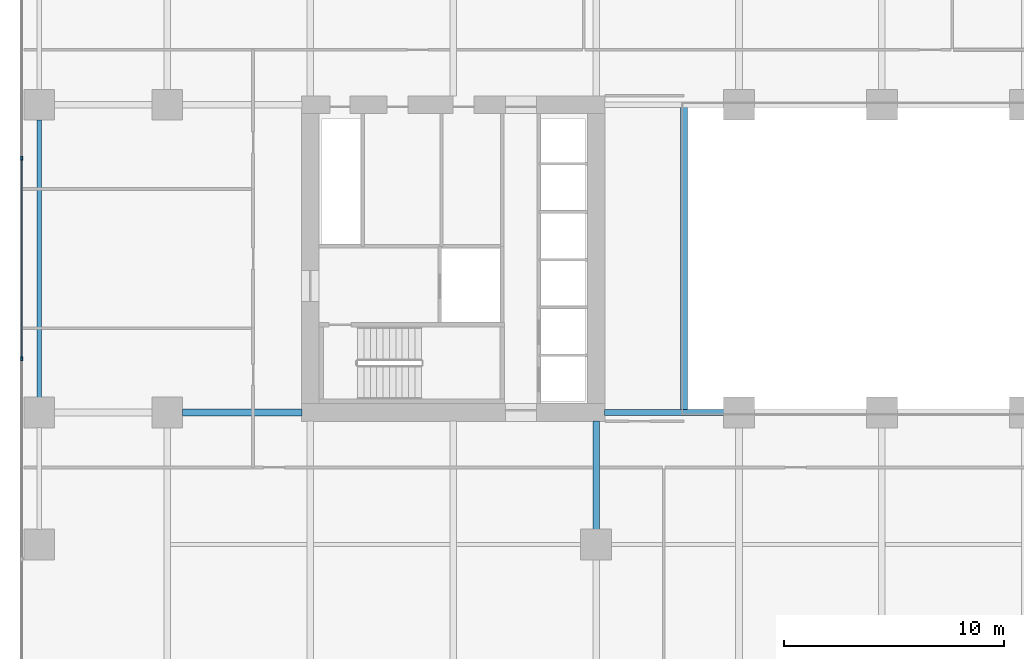
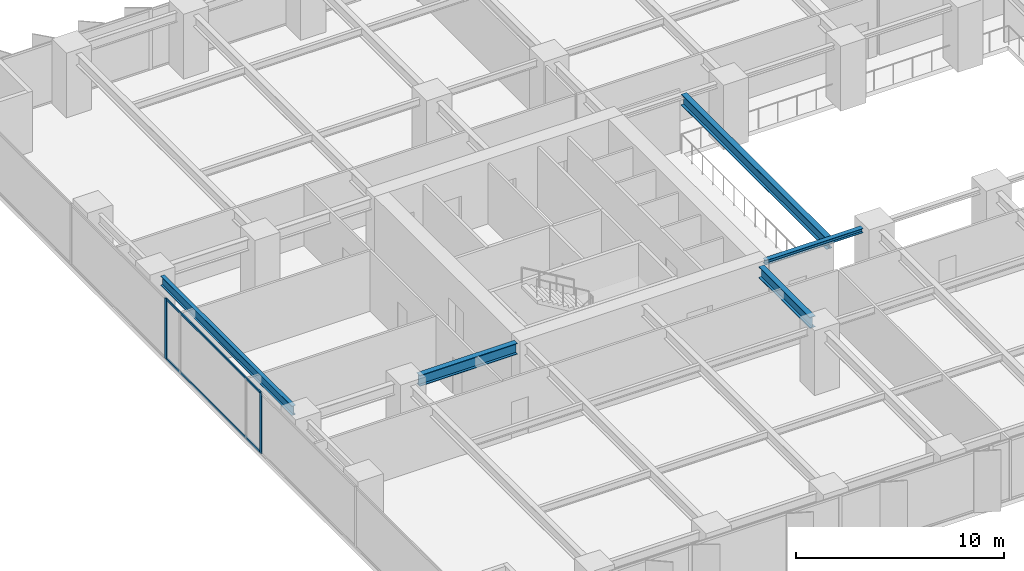
# One storey, part 4 of 20: 5 beams, 4 members, 1 element without a shape of its own.
"""IFC4 building model written with IfcOpenShell, lengths in metres."""

import ifcopenshell
import ifcopenshell.guid

model = None  # the IFC model being written
_history = None  # IfcOwnerHistory: only IFC2X3 demands one
_inside = {}  # id of a spatial element -> (the spatial element, [elements in it])
_under = {}  # id of a project, library or spatial element -> (it, [spatial elements below it])
_declared = {}  # id of a project -> (the project, [libraries it declares])
_typed = {}  # id of a type object -> (the type object, [elements of that type])
_made_of = {}  # id of a material, layer set ... -> (it, [elements and type objects made of it])


def new_model(schema):
    """Start an empty IFC model of exactly this schema.

    Asked for "IFC4X3", IfcOpenShell would pick the latest addendum, in which some entities
    have other attributes; the version numbers below select the first issue.
    IFC2X3 requires an IfcOwnerHistory on every rooted entity: one is made here for all.
    """
    global model, _history
    if schema == "IFC4X3":
        model = ifcopenshell.file(schema_version=(4, 3, 0, 0))
    else:
        model = ifcopenshell.file(schema=schema)
    _inside.clear()
    _under.clear()
    _declared.clear()
    _typed.clear()
    _made_of.clear()
    _history = None
    if model.schema == "IFC2X3":
        org = make("IfcOrganization", Name="unknown")
        user = make(
            "IfcPersonAndOrganization",
            ThePerson=make("IfcPerson", FamilyName="unknown"),
            TheOrganization=org,
        )
        app = make(
            "IfcApplication",
            ApplicationDeveloper=org,
            Version="unknown",
            ApplicationFullName="unknown",
            ApplicationIdentifier="unknown",
        )
        _history = make(
            "IfcOwnerHistory",
            OwningUser=user,
            OwningApplication=app,
            ChangeAction="ADDED",
            CreationDate=0,
        )
    return model


def make(cls, **values):
    """One entity of the class cls with the attributes given. An attribute that is None is left unset."""
    return model.create_entity(
        cls, **{name: value for name, value in values.items() if value is not None}
    )


def rooted(cls, **values):
    """An entity with a GlobalId (a new one), such as an element, a storey or a relation."""
    return make(cls, GlobalId=ifcopenshell.guid.new(), OwnerHistory=_history, **values)


def si_unit(unit_type, name, prefix=None):
    """IfcSIUnit, for example si_unit("LENGTHUNIT", "METRE", prefix="MILLI")."""
    return make("IfcSIUnit", UnitType=unit_type, Prefix=prefix, Name=name)


def assignment(units):
    """IfcUnitAssignment: the units of a project."""
    return None if units is None else make("IfcUnitAssignment", Units=units)


def point(xyz):
    """IfcCartesianPoint."""
    return None if xyz is None else make("IfcCartesianPoint", Coordinates=xyz)


def direction(xyz):
    """IfcDirection."""
    return None if xyz is None else make("IfcDirection", DirectionRatios=xyz)


def frame(location, z_axis=None, x_axis=None):
    """IfcAxis2Placement3D, a coordinate frame: its origin and axes. An axis left out is left unset."""
    return make(
        "IfcAxis2Placement3D",
        Location=point(location),
        Axis=direction(z_axis),
        RefDirection=direction(x_axis),
    )


def frame_2d(location, x_axis=None):
    """IfcAxis2Placement2D, a coordinate frame in the plane: its origin and x axis."""
    return make(
        "IfcAxis2Placement2D", Location=point(location), RefDirection=direction(x_axis)
    )


def origin():
    """The frame at (0, 0, 0) with its axes left unset."""
    return frame((0.0, 0.0, 0.0))


def origin_2d():
    """The frame at (0, 0) in the plane with its x axis left unset."""
    return frame_2d((0.0, 0.0))


def place(relative_to, where):
    """IfcLocalPlacement: puts the frame where relative to a parent placement (None: the world)."""
    return make(
        "IfcLocalPlacement", PlacementRelTo=relative_to, RelativePlacement=where
    )


def context(
    kind, dimensions, precision=None, world=None, true_north=None, identifier=None
):
    """IfcGeometricRepresentationContext, for example the 3D "Model" context."""
    return make(
        "IfcGeometricRepresentationContext",
        ContextIdentifier=identifier,
        ContextType=kind,
        CoordinateSpaceDimension=dimensions,
        Precision=precision,
        WorldCoordinateSystem=world,
        TrueNorth=true_north,
    )


def subcontext(parent, identifier, kind, view, scale=None):
    """IfcGeometricRepresentationSubContext, for example "Body" below "Model"."""
    return make(
        "IfcGeometricRepresentationSubContext",
        ContextIdentifier=identifier,
        ContextType=kind,
        ParentContext=parent,
        TargetScale=scale,
        TargetView=view,
    )


def project(units=None, contexts=None):
    """IfcProject with its units and contexts."""
    return rooted(
        "IfcProject",
        Name="project",
        RepresentationContexts=contexts,
        UnitsInContext=assignment(units),
    )


def spatial(cls, under=None, at=None, **own):
    """A site, building, storey or space (cls), placed at a placement, below another one or the project."""
    s = rooted(cls, ObjectPlacement=at, **own)
    if under is not None:
        _under.setdefault(under.id(), (under, []))[1].append(s)
    return s


def profile(cls, at=None, kind="AREA", **sizes):
    """A parametric profile (cls). Its sizes go by their IFC names, for example OverallWidth=200.0."""
    return make(cls, ProfileType=kind, Position=at, **sizes)


def rectangle(**sizes):
    """IfcRectangleProfileDef."""
    return profile("IfcRectangleProfileDef", **sizes)


def i_section(**sizes):
    """IfcIShapeProfileDef."""
    return profile("IfcIShapeProfileDef", **sizes)


def extrude(swept, where, along, depth):
    """IfcExtrudedAreaSolid: the profile swept, set in the frame where, extruded along a direction by depth."""
    return make(
        "IfcExtrudedAreaSolid",
        SweptArea=swept,
        Position=where,
        ExtrudedDirection=direction(along),
        Depth=depth,
    )


def shape(context_of_items, identifier, shape_type, items):
    """IfcShapeRepresentation: the items that make up one representation, for example the "Body"."""
    return make(
        "IfcShapeRepresentation",
        ContextOfItems=context_of_items,
        RepresentationIdentifier=identifier,
        RepresentationType=shape_type,
        Items=items,
    )


def material(Name=None, Category=None):
    """IfcMaterial."""
    return make("IfcMaterial", Name=Name, Category=Category)


def layer(
    of_material, thickness, ventilated=None, Name=None, Category=None, Priority=None
):
    """IfcMaterialLayer: one layer of a wall or slab, of a material (None: an air gap)."""
    return make(
        "IfcMaterialLayer",
        Material=of_material,
        LayerThickness=thickness,
        IsVentilated=ventilated,
        Name=Name,
        Category=Category,
        Priority=Priority,
    )


def layer_set(layers, Name=None):
    """IfcMaterialLayerSet."""
    return make("IfcMaterialLayerSet", MaterialLayers=layers, LayerSetName=Name)


def material_profile(
    of_material, cross_section, Name=None, Category=None, Priority=None
):
    """IfcMaterialProfile: a cross section and its material."""
    return make(
        "IfcMaterialProfile",
        Name=Name,
        Material=of_material,
        Profile=cross_section,
        Priority=Priority,
        Category=Category,
    )


def profile_set(profiles, Name=None, composite=None):
    """IfcMaterialProfileSet."""
    return make(
        "IfcMaterialProfileSet",
        Name=Name,
        MaterialProfiles=profiles,
        CompositeProfile=composite,
    )


def made_of(thing, what):
    """Note that an element or type object is made of a material, layer set ...; save() writes the relation."""
    if what is not None:
        _made_of.setdefault(what.id(), (what, []))[1].append(thing)
    return thing


def type_object(cls, material=None, **own):
    """A type object (cls), such as IfcWallType, which elements share."""
    return made_of(rooted(cls, **own), material)


def element(
    cls,
    number,
    at=None,
    inside=None,
    cuts=None,
    type_object=None,
    material=None,
    context=None,
    identifier="Body",
    shape_type=None,
    held_by="IfcProductDefinitionShape",
    body=None,
    shapes=None,
    **own,
):
    """One element of the class cls, such as IfcWall. Its Tag is "e" and its number.

    at: its placement. inside: the storey or other place that contains it. cuts: it is an
    opening in that element (IfcRelVoidsElement). A single representation is given by context,
    identifier, shape_type and body (its items); several are given by shapes. held_by: the class
    of the entity that holds the representations. save() writes the other relations.
    """
    e = rooted(cls, Tag="e%d" % number, ObjectPlacement=at, **own)
    if body is not None:
        shapes = [shape(context, identifier, shape_type, body)]
    if shapes is not None:
        e.Representation = make(held_by, Representations=shapes)
    if inside is not None:
        _inside.setdefault(inside.id(), (inside, []))[1].append(e)
    if cuts is not None:
        rooted(
            "IfcRelVoidsElement", RelatingBuildingElement=cuts, RelatedOpeningElement=e
        )
    if type_object is not None:
        _typed.setdefault(type_object.id(), (type_object, []))[1].append(e)
    return made_of(e, material)


def aggregate(whole, parts):
    """IfcRelAggregates: a whole, such as a stair, and the parts it consists of."""
    return rooted("IfcRelAggregates", RelatingObject=whole, RelatedObjects=parts)


def save(model, path):
    """Write the relations noted so far, then the file.

    IfcRelAggregates (storeys below a building ...), IfcRelContainedInSpatialStructure (elements
    in a storey), IfcRelDefinesByType, IfcRelAssociatesMaterial and IfcRelDeclares: one each for
    every whole, place, type object, material and project.
    """
    for whole, parts in _under.values():
        aggregate(whole, parts)
    for where, things in _inside.values():
        rooted(
            "IfcRelContainedInSpatialStructure",
            RelatedElements=things,
            RelatingStructure=where,
        )
    for kind, things in _typed.values():
        rooted("IfcRelDefinesByType", RelatedObjects=things, RelatingType=kind)
    for what, things in _made_of.values():
        rooted("IfcRelAssociatesMaterial", RelatedObjects=things, RelatingMaterial=what)
    for by, libraries in _declared.values():
        rooted("IfcRelDeclares", RelatingContext=by, RelatedDefinitions=libraries)
    model.write(path)


model = new_model("IFC4")

# Units and contexts
model_context = context("Model", 3, precision=1e-05, world=origin(), true_north=direction((0.0, 1.0)))
body_context = subcontext(model_context, "Body", "Model", "MODEL_VIEW")
ifc_project = project(units=[si_unit("LENGTHUNIT", "METRE"), si_unit("AREAUNIT", "SQUARE_METRE"), si_unit("VOLUMEUNIT", "CUBIC_METRE"), si_unit("PLANEANGLEUNIT", "RADIAN"), si_unit("MASSUNIT", "GRAM", prefix="KILO")], contexts=[model_context])

# Site, building, storey
site_placement = place(None, origin())
site = spatial("IfcSite", under=ifc_project, at=site_placement, CompositionType="ELEMENT")
building_placement = place(site_placement, origin())
building = spatial("IfcBuilding", under=site, at=building_placement, Name="Putna Gate Headquarters", CompositionType="ELEMENT")
storey_placement = place(building_placement, frame((0.0, 0.0, 50.60009765625)))
storey = spatial("IfcBuildingStorey", under=building, at=storey_placement, Name="L11", CompositionType="ELEMENT", Elevation=50.60009765625)

# Beams
ifc_material_1 = material(Name="Steel S355J2", Category="steel")
ifc_material_profile_1 = material_profile(ifc_material_1, i_section(OverallWidth=0.260009765625, OverallDepth=0.260009765625, WebThickness=0.010009765625, FlangeThickness=0.017578125, at=origin_2d()), Name="Steel S355J2")
ifc_profile_set_1 = profile_set([ifc_material_profile_1], Name="Steel S355J2")
beam_type_1 = type_object("IfcBeamType", Name="BM-ATRIUM-HEB260", PredefinedType="BEAM", material=ifc_profile_set_1)
beam_1_placement = place(storey_placement, frame((26.385009765625, 19.0, 3.419921875), z_axis=(1.0, 0.0, 0.0), x_axis=(0.0, 1.0, 0.0)))
element("IfcBeam", 1, at=beam_1_placement, inside=storey, type_object=beam_type_1, Name="L11 Atrium Edge Beam AS1", PredefinedType="BEAM", context=body_context, shape_type="SweptSolid", body=[
    extrude(i_section(OverallWidth=0.260009765625, OverallDepth=0.260009765625, WebThickness=0.010009765625, FlangeThickness=0.017578125, at=origin_2d()), origin(), (0.0, 0.0, 1.0), 5.427001953125),
])
ifc_material_profile_2 = material_profile(ifc_material_1, i_section(OverallWidth=0.300048828125, OverallDepth=0.64990234375, WebThickness=0.01611328125, FlangeThickness=0.031005859375, at=origin_2d()), Name="Steel S355J2")
ifc_profile_set_2 = profile_set([ifc_material_profile_2], Name="Steel S355J2")
beam_type_2 = type_object("IfcBeamType", Name="BM-GIRD-Z1-HEB650", PredefinedType="USERDEFINED", material=ifc_profile_set_2)
beam_2_placement = place(storey_placement, frame((7.18798828125, 19.0, 3.224853515625), z_axis=(1.0, 0.0, 0.0), x_axis=(0.0, 1.0, 0.0)))
element("IfcBeam", 2, at=beam_2_placement, inside=storey, type_object=beam_type_2, Name="L11 West Wing Girder Y19-2", ObjectType="GIRDER", PredefinedType="USERDEFINED", context=body_context, shape_type="SweptSolid", body=[
    extrude(i_section(OverallWidth=0.300048828125, OverallDepth=0.64990234375, WebThickness=0.01611328125, FlangeThickness=0.031005859375, at=origin_2d()), origin(), (0.0, 0.0, 1.0), 5.427001953125),
])
beam_3_placement = place(storey_placement, frame((26.0, 13.68798828125, 3.224853515625), z_axis=(0.0, 1.0, 0.0), x_axis=(-1.0, 0.0, 0.0)))
element("IfcBeam", 3, at=beam_3_placement, inside=storey, type_object=beam_type_2, Name="L11 South Primary Girder X26-2", ObjectType="GIRDER", PredefinedType="USERDEFINED", context=body_context, shape_type="SweptSolid", body=[
    extrude(i_section(OverallWidth=0.300048828125, OverallDepth=0.64990234375, WebThickness=0.01611328125, FlangeThickness=0.031005859375, at=origin_2d()), origin(), (0.0, 0.0, 1.0), 4.927001953125),
])
beam_4_placement = place(storey_placement, frame((30.0, 19.010009765625, 3.224853515625), z_axis=(0.0, 1.0, 0.0), x_axis=(-1.0, 0.0, 0.0)))
element("IfcBeam", 4, at=beam_4_placement, inside=storey, type_object=beam_type_2, Name="L11 Atrium Trim Girder AW", ObjectType="GIRDER", PredefinedType="USERDEFINED", context=body_context, shape_type="SweptSolid", body=[
    extrude(i_section(OverallWidth=0.300048828125, OverallDepth=0.64990234375, WebThickness=0.01611328125, FlangeThickness=0.031005859375, at=origin_2d()), origin(), (0.0, 0.0, 1.0), 13.97998046875),
])
ifc_material_profile_3 = material_profile(ifc_material_1, i_section(OverallWidth=0.2099609375, OverallDepth=0.550048828125, WebThickness=0.010986328125, FlangeThickness=0.01708984375, at=origin_2d()), Name="Steel S355J2")
ifc_profile_set_3 = profile_set([ifc_material_profile_3], Name="Steel S355J2")
beam_type_3 = type_object("IfcBeamType", Name="BM-SPAN-Z1-IPE550", PredefinedType="SPANDREL", material=ifc_profile_set_3)
beam_5_placement = place(storey_placement, frame((0.679931640625, 19.68798828125, 3.27490234375), z_axis=(0.0, 1.0, 0.0), x_axis=(-1.0, 0.0, 0.0)))
element("IfcBeam", 5, at=beam_5_placement, inside=storey, type_object=beam_type_3, Name="L11 W End Spandrel 2", PredefinedType="SPANDREL", context=body_context, shape_type="SweptSolid", body=[
    extrude(i_section(OverallWidth=0.2099609375, OverallDepth=0.550048828125, WebThickness=0.010986328125, FlangeThickness=0.01708984375, at=origin_2d()), origin(), (0.0, 0.0, 1.0), 12.6240234375),
])

# Curtain wall, members
ifc_material_2 = material(Name="Anodised bronze aluminium curtain wall", Category="aluminium")
ifc_layer = layer(ifc_material_2, 0.179931640625)
ifc_layer_set = layer_set([ifc_layer], Name="Anodised bronze aluminium curtain wall")
curtain_wall_type = type_object("IfcCurtainWallType", Name="CW-SYS-Z1", PredefinedType="USERDEFINED", material=ifc_layer_set)
curtain_wall_placement = place(storey_placement, origin())
curtain_wall = element("IfcCurtainWall", 6, at=curtain_wall_placement, inside=storey, type_object=curtain_wall_type, Name="L11 West Curtain Wall", ObjectType="STICK CURTAIN WALL", PredefinedType="USERDEFINED")
ifc_material_3 = material(Name="Anodised bronze aluminium EN AW-6060", Category="aluminium")
ifc_material_profile_4 = material_profile(ifc_material_3, rectangle(XDim=0.070068359375, YDim=0.179931640625, at=origin_2d()), Name="Anodised bronze aluminium EN AW-6060")
ifc_profile_set_4 = profile_set([ifc_material_profile_4], Name="Anodised bronze aluminium EN AW-6060")
member_type_1 = type_object("IfcMemberType", Name="MULL-CWM-1", PredefinedType="MULLION", material=ifc_profile_set_4)
member_1_placement = place(storey_placement, frame((-0.1201171875, 21.43994140625, 0.0), z_axis=(0.0, 0.0, 1.0), x_axis=(-1.0, 0.0, 0.0)))
member_1 = element("IfcMember", 7, at=member_1_placement, type_object=member_type_1, Name="CWS-1 mullion 3", PredefinedType="MULLION", context=body_context, shape_type="SweptSolid", body=[
    extrude(rectangle(XDim=0.070068359375, YDim=0.179931640625, at=origin_2d()), origin(), (0.0, 0.0, 1.0), 3.5498046875),
])
member_2_placement = place(storey_placement, frame((-0.1201171875, 30.56005859375, 0.0), z_axis=(0.0, 0.0, 1.0), x_axis=(-1.0, 0.0, 0.0)))
member_2 = element("IfcMember", 8, at=member_2_placement, type_object=member_type_1, Name="CWS-1 mullion 4", PredefinedType="MULLION", context=body_context, shape_type="SweptSolid", body=[
    extrude(rectangle(XDim=0.070068359375, YDim=0.179931640625, at=origin_2d()), origin(), (0.0, 0.0, 1.0), 3.5498046875),
])
ifc_material_profile_5 = material_profile(ifc_material_3, rectangle(XDim=0.06494140625, YDim=0.1201171875, at=origin_2d()), Name="Anodised bronze aluminium EN AW-6060")
ifc_profile_set_5 = profile_set([ifc_material_profile_5], Name="Anodised bronze aluminium EN AW-6060")
member_type_2 = type_object("IfcMemberType", Name="TRAN-CWT-1", PredefinedType="USERDEFINED", material=ifc_profile_set_5)
member_3_placement = place(storey_placement, frame((-0.1201171875, 21.47509765625, 0.032470703125), z_axis=(0.0, 1.0, 0.0), x_axis=(-1.0, 0.0, 0.0)))
member_3 = element("IfcMember", 9, at=member_3_placement, type_object=member_type_2, Name="CWS-1 transom 3.1", ObjectType="TRANSOM", PredefinedType="USERDEFINED", context=body_context, shape_type="SweptSolid", body=[
    extrude(rectangle(XDim=0.06494140625, YDim=0.1201171875, at=origin_2d()), origin(), (0.0, 0.0, 1.0), 9.0498046875),
])
member_4_placement = place(storey_placement, frame((-0.1201171875, 21.47509765625, 3.517333984375), z_axis=(0.0, 1.0, 0.0), x_axis=(-1.0, 0.0, 0.0)))
member_4 = element("IfcMember", 10, at=member_4_placement, type_object=member_type_2, Name="CWS-1 transom 3.2", ObjectType="TRANSOM", PredefinedType="USERDEFINED", context=body_context, shape_type="SweptSolid", body=[
    extrude(rectangle(XDim=0.06494140625, YDim=0.1201171875, at=origin_2d()), origin(), (0.0, 0.0, 1.0), 9.0498046875),
])
aggregate(curtain_wall, [member_1, member_2, member_3, member_4])

save(model, "model.ifc")
